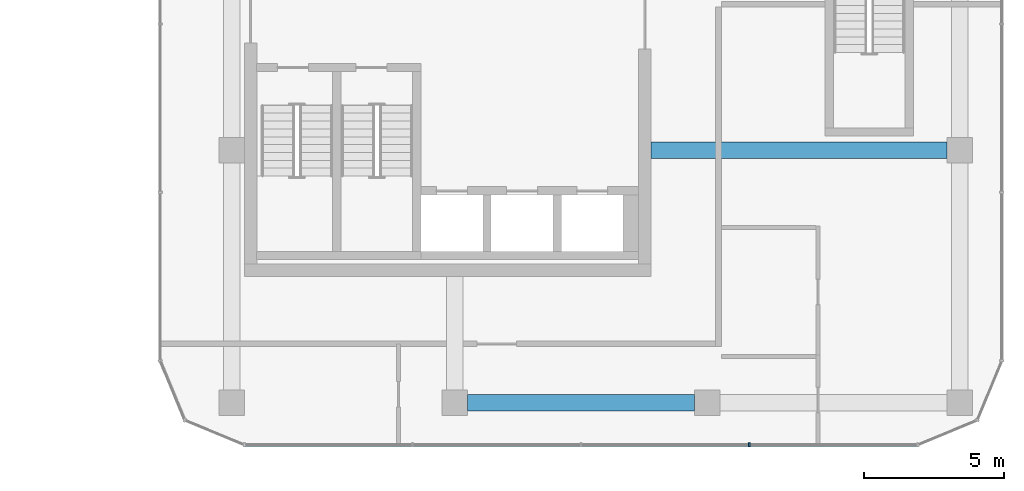
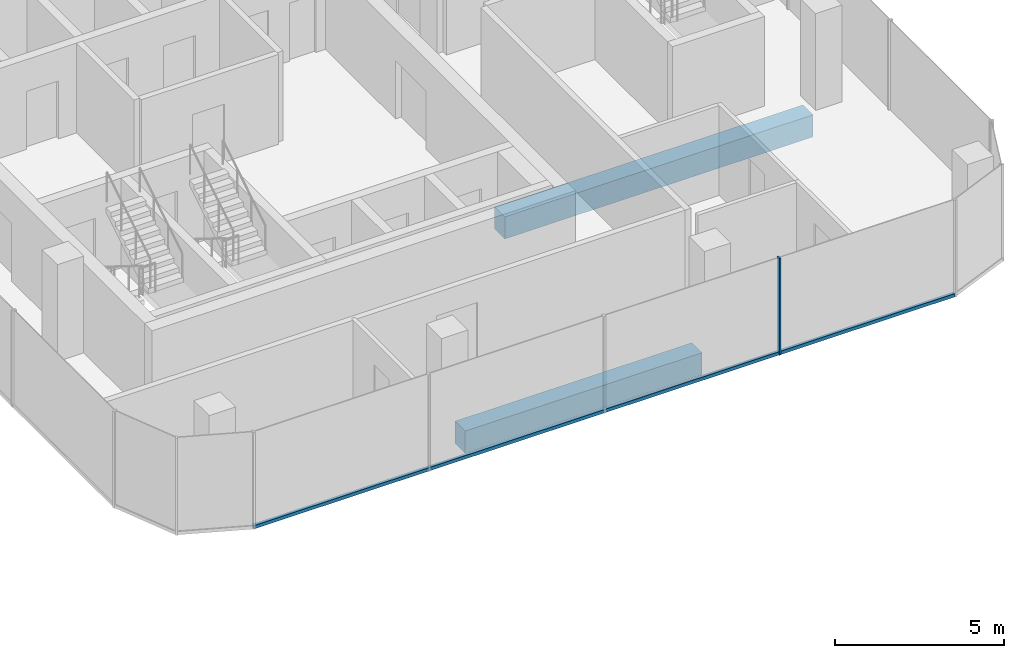
# One storey, part 8 of 22: 2 beams, 2 members, 1 element without a shape of its own.
"""IFC4 building model written with IfcOpenShell, lengths in metres."""

from ifc_helpers import new_model, si_unit, direction, frame, origin, origin_2d, place, context, subcontext, project, spatial, rectangle, extrude, material, layer, layer_set, material_profile, profile_set, type_object, element, aggregate, save


model = new_model("IFC4")

# Units and contexts
model_context = context("Model", 3, precision=1e-05, world=origin(), true_north=direction((0.0, 1.0)))
body_context = subcontext(model_context, "Body", "Model", "MODEL_VIEW")
ifc_project = project(units=[si_unit("LENGTHUNIT", "METRE"), si_unit("AREAUNIT", "SQUARE_METRE"), si_unit("VOLUMEUNIT", "CUBIC_METRE"), si_unit("PLANEANGLEUNIT", "RADIAN"), si_unit("MASSUNIT", "GRAM", prefix="KILO")], contexts=[model_context])

# Site, building, storey
site_placement = place(None, origin())
site = spatial("IfcSite", under=ifc_project, at=site_placement, CompositionType="ELEMENT")
building_placement = place(site_placement, origin())
building = spatial("IfcBuilding", under=site, at=building_placement, Name="Plateau Cross Towers", CompositionType="ELEMENT")
storey_placement = place(building_placement, frame((0.0, 0.0, 65.300048828125)))
storey = spatial("IfcBuildingStorey", under=building, at=storey_placement, Name="L16", CompositionType="ELEMENT", Elevation=65.300048828125)

# Beam
ifc_material_1 = material(Name="Concrete C60/75", Category="concrete")
ifc_material_profile_1 = material_profile(ifc_material_1, rectangle(XDim=0.60009765625, YDim=0.800048828125, at=origin_2d()), Name="RC 600x800")
ifc_profile_set_1 = profile_set([ifc_material_profile_1], Name="Concrete C60/75")
beam_type_1 = type_object("IfcBeamType", Name="Core beam RC 600x800", PredefinedType="BEAM", material=ifc_profile_set_1)
beam_1_placement = place(storey_placement, frame((89.5, 4.5, -0.650146484375), z_axis=(1.0, 0.0, 0.0), x_axis=(0.0, 1.0, 0.0)))
element("IfcBeam", 1, at=beam_1_placement, inside=storey, type_object=beam_type_1, Name="B-CB02@L16", PredefinedType="BEAM", context=body_context, shape_type="SweptSolid", body=[
    extrude(rectangle(XDim=0.60009765625, YDim=0.800048828125, at=origin_2d()), origin(), (0.0, 0.0, 1.0), 10.550048828125),
])

# Curtain wall, member
ifc_material_2 = material(Name="Dark low-iron glass", Category="glass")
ifc_layer = layer(ifc_material_2, 0.239990234375)
ifc_layer_set = layer_set([ifc_layer], Name="Dark low-iron glass")
curtain_wall_type = type_object("IfcCurtainWallType", Name="Curtain wall office unitised CW-F", PredefinedType="NOTDEFINED", material=ifc_layer_set)
curtain_wall_placement = place(storey_placement, origin())
curtain_wall = element("IfcCurtainWall", 2, at=curtain_wall_placement, inside=storey, type_object=curtain_wall_type, Name="ENV/B/L16/B750_-60", PredefinedType="NOTDEFINED")
ifc_material_3 = material(Name="Black anodised aluminium", Category="aluminium")
ifc_material_profile_2 = material_profile(ifc_material_3, rectangle(XDim=0.06005859375, YDim=0.139892578125, at=origin_2d()), Name="MULLION 60x140")
ifc_profile_set_2 = profile_set([ifc_material_profile_2], Name="Black anodised aluminium")
member_type_1 = type_object("IfcMemberType", Name="Mullion 60x140 office unitised", PredefinedType="MULLION", material=ifc_profile_set_2)
member_1_placement = place(storey_placement, frame((93.0, -6.0, -0.25), z_axis=(0.0, 0.0, 1.0), x_axis=(1.0, 0.0, 0.0)))
member_1 = element("IfcMember", 3, at=member_1_placement, type_object=member_type_1, Name="CW-F mullion 4", PredefinedType="MULLION", context=body_context, shape_type="SweptSolid", body=[
    extrude(rectangle(XDim=0.06005859375, YDim=0.139892578125, at=origin_2d()), origin(), (0.0, 0.0, 1.0), 3.5),
])

# Beam
ifc_material_profile_3 = material_profile(ifc_material_1, rectangle(XDim=0.60009765625, YDim=0.800048828125, at=origin_2d()), Name="RC 600x800")
ifc_profile_set_3 = profile_set([ifc_material_profile_3], Name="Concrete C60/75")
beam_type_2 = type_object("IfcBeamType", Name="Ring beam RC 600x800", PredefinedType="BEAM", material=ifc_profile_set_3)
beam_2_placement = place(storey_placement, frame((82.949951171875, -4.5, -0.650146484375), z_axis=(1.0, 0.0, 0.0), x_axis=(0.0, 1.0, 0.0)))
element("IfcBeam", 4, at=beam_2_placement, inside=storey, type_object=beam_type_2, Name="B-RB01@L16", PredefinedType="BEAM", context=body_context, shape_type="SweptSolid", body=[
    extrude(rectangle(XDim=0.60009765625, YDim=0.800048828125, at=origin_2d()), origin(), (0.0, 0.0, 1.0), 8.10009765625),
])

# Member
ifc_material_profile_4 = material_profile(ifc_material_3, rectangle(XDim=0.10009765625, YDim=0.1201171875, at=origin_2d()), Name="TRANSOM 100x120")
ifc_profile_set_4 = profile_set([ifc_material_profile_4], Name="Black anodised aluminium")
member_type_2 = type_object("IfcMemberType", Name="Transom 100x120 office unitised", PredefinedType="USERDEFINED", material=ifc_profile_set_4)
member_2_placement = place(storey_placement, frame((75.0, -6.0, -0.18994140625), z_axis=(1.0, 0.0, 0.0), x_axis=(0.0, 1.0, 0.0)))
member_2 = element("IfcMember", 5, at=member_2_placement, type_object=member_type_2, Name="CW-F transom", ObjectType="TRANSOM", PredefinedType="USERDEFINED", context=body_context, shape_type="SweptSolid", body=[
    extrude(rectangle(XDim=0.10009765625, YDim=0.1201171875, at=origin_2d()), origin(), (0.0, 0.0, 1.0), 24.0),
])

aggregate(curtain_wall, [member_1, member_2])

save(model, "model.ifc")
